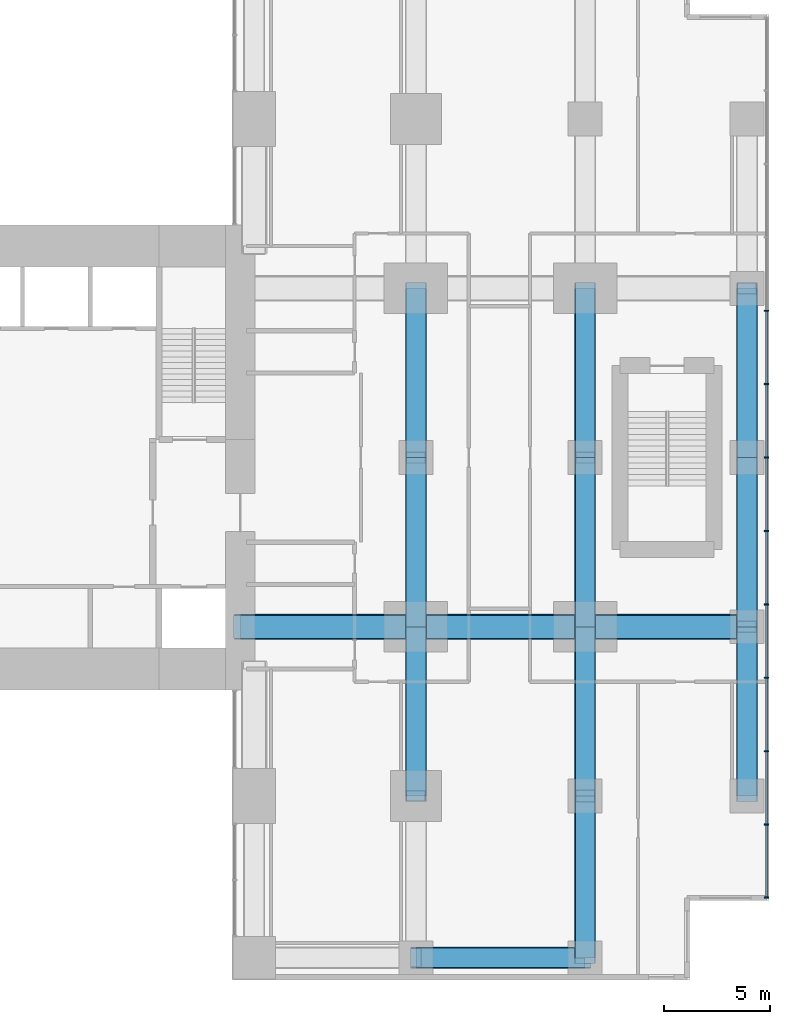
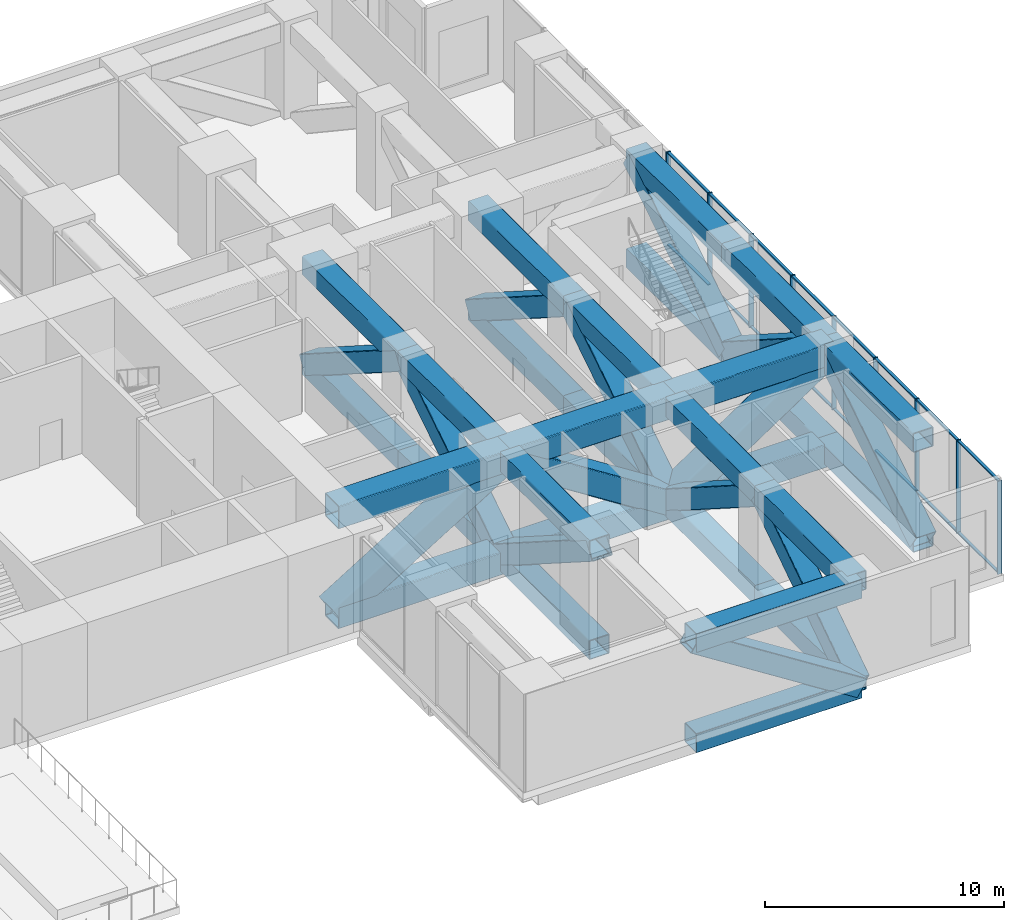
# One storey, part 3 of 10: 67 members, 1 element without a shape of its own.
"""IFC4 building model written with IfcOpenShell, lengths in metres."""

from ifc_helpers import new_model, si_unit, direction, frame, origin, origin_2d, place, context, subcontext, project, spatial, rectangle, hollow_rectangle, extrude, material, layer, layer_set, material_profile, profile_set, type_object, element, aggregate, save


model = new_model("IFC4")

# Units and contexts
model_context = context("Model", 3, precision=1e-05, world=origin(), true_north=direction((0.0, 1.0)))
body_context = subcontext(model_context, "Body", "Model", "MODEL_VIEW")
ifc_project = project(units=[si_unit("LENGTHUNIT", "METRE"), si_unit("AREAUNIT", "SQUARE_METRE"), si_unit("VOLUMEUNIT", "CUBIC_METRE"), si_unit("PLANEANGLEUNIT", "RADIAN"), si_unit("MASSUNIT", "GRAM", prefix="KILO")], contexts=[model_context])

# Site, building, storey
site_placement = place(None, origin())
site = spatial("IfcSite", under=ifc_project, at=site_placement, CompositionType="ELEMENT")
building_placement = place(site_placement, origin())
building = spatial("IfcBuilding", under=site, at=building_placement, Name="Cleftline Residences", CompositionType="ELEMENT")
storey_placement = place(building_placement, frame((0.0, 0.0, 225.39990234375)))
storey = spatial("IfcBuildingStorey", under=building, at=storey_placement, Name="L59", CompositionType="ELEMENT", Elevation=225.39990234375)

# Members
ifc_material_1 = material(Name="Steel S355", Category="steel")
ifc_material_profile_1 = material_profile(ifc_material_1, hollow_rectangle(XDim=1.0, YDim=1.0, WallThickness=0.0400390625, InnerFilletRadius=0.0400390625, OuterFilletRadius=0.06005859375, at=origin_2d()))
ifc_profile_set_1 = profile_set([ifc_material_profile_1], Name="Steel S355")
member_type_1 = type_object("IfcMemberType", Name="BRACE BOX 1000X1000X40", PredefinedType="BRACE", material=ifc_profile_set_1)
for number, where, z_axis, x_axis, name in (
    (1, (50.0, 8.0, 4.25), (0.0, 0.843234196711, -0.537546360324), (0.0, 0.537546360324, 0.843234196711), "Belt truss diagonal"),
    (2, (50.0, 16.0, -0.849853515625), (0.0, 0.843234196711, 0.537546360324), (0.0, -0.537546360324, 0.843234196711), "Belt truss diagonal"),
    (3, (50.0, 24.0, 4.25), (0.0, 0.843234196711, -0.537546360324), (0.0, 0.537546360324, 0.843234196711), "Belt truss diagonal"),
):
    element("IfcMember", number, at=place(storey_placement, frame(where, z_axis=z_axis, x_axis=x_axis)), inside=storey, type_object=member_type_1, Name=name, PredefinedType="BRACE", context=body_context, shape_type="SweptSolid", body=[
        extrude(hollow_rectangle(XDim=1.0, YDim=1.0, WallThickness=0.0400390625, InnerFilletRadius=0.0400390625, OuterFilletRadius=0.06005859375, at=origin_2d()), origin(), (0.0, 0.0, 1.0), 9.4873046875),
    ])
member_1_placement = place(storey_placement, frame((58.0, 0.35009765625, -0.849853515625), z_axis=(0.0, 0.832054379602, 0.55469406828), x_axis=(0.0, -0.55469406828, 0.832054379602)))
element("IfcMember", 4, at=member_1_placement, inside=storey, type_object=member_type_1, Name="Belt truss diagonal", PredefinedType="BRACE", context=body_context, shape_type="SweptSolid", body=[
    extrude(hollow_rectangle(XDim=1.0, YDim=1.0, WallThickness=0.0400390625, InnerFilletRadius=0.0400390625, OuterFilletRadius=0.06005859375, at=origin_2d()), origin(), (0.0, 0.0, 1.0), 9.194091796875),
])
for number, where, z_axis, x_axis, name in (
    (5, (58.0, 8.0, 4.25), (0.0, 0.843234196711, -0.537546360324), (0.0, 0.537546360324, 0.843234196711), "Belt truss diagonal"),
    (6, (58.0, 16.0, -0.849853515625), (0.0, 0.843234196711, 0.537546360324), (0.0, -0.537546360324, 0.843234196711), "Belt truss diagonal"),
    (7, (58.0, 24.0, 4.25), (0.0, 0.843234196711, -0.537546360324), (0.0, 0.537546360324, 0.843234196711), "Belt truss diagonal"),
    (8, (65.64990234375, 8.0, -0.849853515625), (0.0, 0.843234196711, 0.537546360324), (0.0, -0.537546360324, 0.843234196711), "Belt truss diagonal"),
    (9, (65.64990234375, 16.0, 4.25), (0.0, 0.843234196711, -0.537546360324), (0.0, 0.537546360324, 0.843234196711), "Belt truss diagonal"),
    (10, (65.64990234375, 24.0, -0.849853515625), (0.0, 0.843234196711, 0.537546360324), (0.0, -0.537546360324, 0.843234196711), "Belt truss diagonal"),
    (11, (50.0, 0.35009765625, 4.25), (0.843234196711, 0.0, -0.537546360324), (0.537546360324, 0.0, 0.843234196711), "Belt truss diagonal"),
):
    element("IfcMember", number, at=place(storey_placement, frame(where, z_axis=z_axis, x_axis=x_axis)), inside=storey, type_object=member_type_1, Name=name, PredefinedType="BRACE", context=body_context, shape_type="SweptSolid", body=[
        extrude(hollow_rectangle(XDim=1.0, YDim=1.0, WallThickness=0.0400390625, InnerFilletRadius=0.0400390625, OuterFilletRadius=0.06005859375, at=origin_2d()), origin(), (0.0, 0.0, 1.0), 9.4873046875),
    ])
ifc_material_2 = material(Name="Steel S355", Category="steel")
ifc_material_profile_2 = material_profile(ifc_material_2, hollow_rectangle(XDim=1.199951171875, YDim=1.199951171875, WallThickness=0.06005859375, InnerFilletRadius=0.06005859375, OuterFilletRadius=0.090087890625, at=origin_2d()))
ifc_profile_set_2 = profile_set([ifc_material_profile_2], Name="Steel S355")
member_type_2 = type_object("IfcMemberType", Name="BRACE BOX 1200X1200X60", PredefinedType="BRACE", material=ifc_profile_set_2)
member_2_placement = place(storey_placement, frame((41.699951171875, 16.0, -0.949951171875), z_axis=(0.852007479238, 0.0, 0.523529612651), x_axis=(-0.523529612651, 0.0, 0.852007479238)))
element("IfcMember", 12, at=member_2_placement, inside=storey, type_object=member_type_2, Name="Outrigger truss diagonal", PredefinedType="BRACE", context=body_context, shape_type="SweptSolid", body=[
    extrude(hollow_rectangle(XDim=1.199951171875, YDim=1.199951171875, WallThickness=0.06005859375, InnerFilletRadius=0.06005859375, OuterFilletRadius=0.090087890625, at=origin_2d()), origin(), (0.0, 0.0, 1.0), 9.74169921875),
])
member_3_placement = place(storey_placement, frame((50.0, 16.0, 4.150146484375), z_axis=(0.843222532273, 0.0, -0.537564657568), x_axis=(0.537564657568, 0.0, 0.843222532273)))
element("IfcMember", 13, at=member_3_placement, inside=storey, type_object=member_type_2, Name="Outrigger truss diagonal", PredefinedType="BRACE", context=body_context, shape_type="SweptSolid", body=[
    extrude(hollow_rectangle(XDim=1.199951171875, YDim=1.199951171875, WallThickness=0.06005859375, InnerFilletRadius=0.06005859375, OuterFilletRadius=0.090087890625, at=origin_2d()), origin(), (0.0, 0.0, 1.0), 9.4873046875),
])
member_4_placement = place(storey_placement, frame((58.0, 16.0, -0.949951171875), z_axis=(0.832042123795, 0.0, 0.554712451844), x_axis=(-0.554712451844, 0.0, 0.832042123795)))
element("IfcMember", 14, at=member_4_placement, inside=storey, type_object=member_type_2, Name="Outrigger truss diagonal", PredefinedType="BRACE", context=body_context, shape_type="SweptSolid", body=[
    extrude(hollow_rectangle(XDim=1.199951171875, YDim=1.199951171875, WallThickness=0.06005859375, InnerFilletRadius=0.06005859375, OuterFilletRadius=0.090087890625, at=origin_2d()), origin(), (0.0, 0.0, 1.0), 9.194091796875),
])
ifc_material_3 = material(Name="Steel S355", Category="steel")
ifc_material_profile_3 = material_profile(ifc_material_3, hollow_rectangle(XDim=1.0, YDim=1.0, WallThickness=0.0400390625, InnerFilletRadius=0.0400390625, OuterFilletRadius=0.06005859375, at=origin_2d()))
ifc_profile_set_3 = profile_set([ifc_material_profile_3], Name="Steel S355")
member_type_3 = type_object("IfcMemberType", Name="CHORD BOX 1000X1000X40", PredefinedType="CHORD", material=ifc_profile_set_3)
for number, where, z_axis, x_axis, name in (
    (15, (50.0, 8.0, -0.849853515625), (0.0, 1.0, 0.0), (-1.0, 0.0, 0.0), "Belt truss bottom chord"),
    (16, (50.0, 8.0, 4.25), (0.0, 1.0, 0.0), (-1.0, 0.0, 0.0), "Belt truss top chord"),
    (17, (50.0, 16.0, -0.849853515625), (0.0, 1.0, 0.0), (-1.0, 0.0, 0.0), "Belt truss bottom chord"),
    (18, (50.0, 16.0, 4.25), (0.0, 1.0, 0.0), (-1.0, 0.0, 0.0), "Belt truss top chord"),
    (19, (50.0, 24.0, -0.849853515625), (0.0, 1.0, 0.0), (-1.0, 0.0, 0.0), "Belt truss bottom chord"),
    (20, (50.0, 24.0, 4.25), (0.0, 1.0, 0.0), (-1.0, 0.0, 0.0), "Belt truss top chord"),
):
    element("IfcMember", number, at=place(storey_placement, frame(where, z_axis=z_axis, x_axis=x_axis)), inside=storey, type_object=member_type_3, Name=name, PredefinedType="CHORD", context=body_context, shape_type="SweptSolid", body=[
        extrude(hollow_rectangle(XDim=1.0, YDim=1.0, WallThickness=0.0400390625, InnerFilletRadius=0.0400390625, OuterFilletRadius=0.06005859375, at=origin_2d()), origin(), (0.0, 0.0, 1.0), 8.0),
    ])
for number, where, z_axis, x_axis, name in (
    (21, (58.0, 0.35009765625, -0.849853515625), (0.0, 1.0, 0.0), (-1.0, 0.0, 0.0), "Belt truss bottom chord"),
    (22, (58.0, 0.35009765625, 4.25), (0.0, 1.0, 0.0), (-1.0, 0.0, 0.0), "Belt truss top chord"),
):
    element("IfcMember", number, at=place(storey_placement, frame(where, z_axis=z_axis, x_axis=x_axis)), inside=storey, type_object=member_type_3, Name=name, PredefinedType="CHORD", context=body_context, shape_type="SweptSolid", body=[
        extrude(hollow_rectangle(XDim=1.0, YDim=1.0, WallThickness=0.0400390625, InnerFilletRadius=0.0400390625, OuterFilletRadius=0.06005859375, at=origin_2d()), origin(), (0.0, 0.0, 1.0), 7.64990234375),
    ])
for number, where, z_axis, x_axis, name in (
    (23, (58.0, 8.0, -0.849853515625), (0.0, 1.0, 0.0), (-1.0, 0.0, 0.0), "Belt truss bottom chord"),
    (24, (58.0, 8.0, 4.25), (0.0, 1.0, 0.0), (-1.0, 0.0, 0.0), "Belt truss top chord"),
    (25, (58.0, 16.0, -0.849853515625), (0.0, 1.0, 0.0), (-1.0, 0.0, 0.0), "Belt truss bottom chord"),
    (26, (58.0, 16.0, 4.25), (0.0, 1.0, 0.0), (-1.0, 0.0, 0.0), "Belt truss top chord"),
    (27, (58.0, 24.0, -0.849853515625), (0.0, 1.0, 0.0), (-1.0, 0.0, 0.0), "Belt truss bottom chord"),
    (28, (58.0, 24.0, 4.25), (0.0, 1.0, 0.0), (-1.0, 0.0, 0.0), "Belt truss top chord"),
    (29, (65.64990234375, 8.0, -0.849853515625), (0.0, 1.0, 0.0), (-1.0, 0.0, 0.0), "Belt truss bottom chord"),
    (30, (65.64990234375, 8.0, 4.25), (0.0, 1.0, 0.0), (-1.0, 0.0, 0.0), "Belt truss top chord"),
    (31, (65.64990234375, 16.0, -0.849853515625), (0.0, 1.0, 0.0), (-1.0, 0.0, 0.0), "Belt truss bottom chord"),
    (32, (65.64990234375, 16.0, 4.25), (0.0, 1.0, 0.0), (-1.0, 0.0, 0.0), "Belt truss top chord"),
    (33, (65.64990234375, 24.0, -0.849853515625), (0.0, 1.0, 0.0), (-1.0, 0.0, 0.0), "Belt truss bottom chord"),
    (34, (65.64990234375, 24.0, 4.25), (0.0, 1.0, 0.0), (-1.0, 0.0, 0.0), "Belt truss top chord"),
    (35, (50.0, 0.35009765625, -0.849853515625), (1.0, 0.0, 0.0), (0.0, 1.0, 0.0), "Belt truss bottom chord"),
    (36, (50.0, 0.35009765625, 4.25), (1.0, 0.0, 0.0), (0.0, 1.0, 0.0), "Belt truss top chord"),
):
    element("IfcMember", number, at=place(storey_placement, frame(where, z_axis=z_axis, x_axis=x_axis)), inside=storey, type_object=member_type_3, Name=name, PredefinedType="CHORD", context=body_context, shape_type="SweptSolid", body=[
        extrude(hollow_rectangle(XDim=1.0, YDim=1.0, WallThickness=0.0400390625, InnerFilletRadius=0.0400390625, OuterFilletRadius=0.06005859375, at=origin_2d()), origin(), (0.0, 0.0, 1.0), 8.0),
    ])
ifc_material_4 = material(Name="Steel S355", Category="steel")
ifc_material_profile_4 = material_profile(ifc_material_4, hollow_rectangle(XDim=1.199951171875, YDim=1.199951171875, WallThickness=0.06005859375, InnerFilletRadius=0.06005859375, OuterFilletRadius=0.090087890625, at=origin_2d()))
ifc_profile_set_4 = profile_set([ifc_material_profile_4], Name="Steel S355")
member_type_4 = type_object("IfcMemberType", Name="CHORD BOX 1200X1200X60", PredefinedType="CHORD", material=ifc_profile_set_4)
for number, where, z_axis, x_axis, name in (
    (37, (41.699951171875, 16.0, -0.949951171875), (1.0, 0.0, 0.0), (0.0, 1.0, 0.0), "Outrigger truss bottom chord"),
    (38, (41.699951171875, 16.0, 4.150146484375), (1.0, 0.0, 0.0), (0.0, 1.0, 0.0), "Outrigger truss top chord"),
):
    element("IfcMember", number, at=place(storey_placement, frame(where, z_axis=z_axis, x_axis=x_axis)), inside=storey, type_object=member_type_4, Name=name, PredefinedType="CHORD", context=body_context, shape_type="SweptSolid", body=[
        extrude(hollow_rectangle(XDim=1.199951171875, YDim=1.199951171875, WallThickness=0.06005859375, InnerFilletRadius=0.06005859375, OuterFilletRadius=0.090087890625, at=origin_2d()), origin(), (0.0, 0.0, 1.0), 8.300048828125),
    ])
for number, where, z_axis, x_axis, name in (
    (39, (50.0, 16.0, -0.949951171875), (1.0, 0.0, 0.0), (0.0, 1.0, 0.0), "Outrigger truss bottom chord"),
    (40, (50.0, 16.0, 4.150146484375), (1.0, 0.0, 0.0), (0.0, 1.0, 0.0), "Outrigger truss top chord"),
):
    element("IfcMember", number, at=place(storey_placement, frame(where, z_axis=z_axis, x_axis=x_axis)), inside=storey, type_object=member_type_4, Name=name, PredefinedType="CHORD", context=body_context, shape_type="SweptSolid", body=[
        extrude(hollow_rectangle(XDim=1.199951171875, YDim=1.199951171875, WallThickness=0.06005859375, InnerFilletRadius=0.06005859375, OuterFilletRadius=0.090087890625, at=origin_2d()), origin(), (0.0, 0.0, 1.0), 8.0),
    ])
for number, where, z_axis, x_axis, name in (
    (41, (58.0, 16.0, -0.949951171875), (1.0, 0.0, 0.0), (0.0, 1.0, 0.0), "Outrigger truss bottom chord"),
    (42, (58.0, 16.0, 4.150146484375), (1.0, 0.0, 0.0), (0.0, 1.0, 0.0), "Outrigger truss top chord"),
):
    element("IfcMember", number, at=place(storey_placement, frame(where, z_axis=z_axis, x_axis=x_axis)), inside=storey, type_object=member_type_4, Name=name, PredefinedType="CHORD", context=body_context, shape_type="SweptSolid", body=[
        extrude(hollow_rectangle(XDim=1.199951171875, YDim=1.199951171875, WallThickness=0.06005859375, InnerFilletRadius=0.06005859375, OuterFilletRadius=0.090087890625, at=origin_2d()), origin(), (0.0, 0.0, 1.0), 7.64990234375),
    ])

# Curtain wall, members
ifc_material_5 = material(Name="Aluminium framed curtain wall", Category="aluminium")
ifc_layer = layer(ifc_material_5, 0.199951171875)
ifc_layer_set = layer_set([ifc_layer], Name="CW4 SKY LOUNGE GLAZING")
curtain_wall_type = type_object("IfcCurtainWallType", Name="CW4 SKY LOUNGE GLAZING", PredefinedType="NOTDEFINED", material=ifc_layer_set)
curtain_wall_placement = place(storey_placement, origin())
curtain_wall = element("IfcCurtainWall", 43, at=curtain_wall_placement, inside=storey, type_object=curtain_wall_type, Name="Curtain wall CW4", PredefinedType="NOTDEFINED")
ifc_material_6 = material(Name="Aluminium mullion", Category="aluminium")
ifc_material_profile_5 = material_profile(ifc_material_6, rectangle(XDim=0.219970703125, YDim=0.06494140625, at=origin_2d()))
ifc_profile_set_5 = profile_set([ifc_material_profile_5], Name="Aluminium mullion")
member_type_5 = type_object("IfcMemberType", Name="CW4 MULLION", PredefinedType="MULLION", material=ifc_profile_set_5)
member_5_placement = place(storey_placement, frame((66.574951171875, 3.20751953125, 0.0), z_axis=(0.0, 0.0, 1.0), x_axis=(-1.0, 0.0, 0.0)))
member_5 = element("IfcMember", 44, at=member_5_placement, type_object=member_type_5, Name="CW4 mullion 1", PredefinedType="MULLION", context=body_context, shape_type="SweptSolid", body=[
    extrude(rectangle(XDim=0.219970703125, YDim=0.06494140625, at=origin_2d()), origin(), (0.0, 0.0, 1.0), 4.75),
])
member_6_placement = place(storey_placement, frame((66.574951171875, 6.645751953125, 0.0), z_axis=(0.0, 0.0, 1.0), x_axis=(-1.0, 0.0, 0.0)))
member_6 = element("IfcMember", 45, at=member_6_placement, type_object=member_type_5, Name="CW4 mullion 2", PredefinedType="MULLION", context=body_context, shape_type="SweptSolid", body=[
    extrude(rectangle(XDim=0.219970703125, YDim=0.06494140625, at=origin_2d()), origin(), (0.0, 0.0, 1.0), 4.75),
])
member_7_placement = place(storey_placement, frame((66.574951171875, 10.11669921875, 0.0), z_axis=(0.0, 0.0, 1.0), x_axis=(-1.0, 0.0, 0.0)))
member_7 = element("IfcMember", 46, at=member_7_placement, type_object=member_type_5, Name="CW4 mullion 3", PredefinedType="MULLION", context=body_context, shape_type="SweptSolid", body=[
    extrude(rectangle(XDim=0.219970703125, YDim=0.06494140625, at=origin_2d()), origin(), (0.0, 0.0, 1.0), 4.75),
])
member_8_placement = place(storey_placement, frame((66.574951171875, 13.58740234375, 0.0), z_axis=(0.0, 0.0, 1.0), x_axis=(-1.0, 0.0, 0.0)))
member_8 = element("IfcMember", 47, at=member_8_placement, type_object=member_type_5, Name="CW4 mullion 4", PredefinedType="MULLION", context=body_context, shape_type="SweptSolid", body=[
    extrude(rectangle(XDim=0.219970703125, YDim=0.06494140625, at=origin_2d()), origin(), (0.0, 0.0, 1.0), 4.75),
])
member_9_placement = place(storey_placement, frame((66.574951171875, 17.058349609375, 0.0), z_axis=(0.0, 0.0, 1.0), x_axis=(-1.0, 0.0, 0.0)))
member_9 = element("IfcMember", 48, at=member_9_placement, type_object=member_type_5, Name="CW4 mullion 5", PredefinedType="MULLION", context=body_context, shape_type="SweptSolid", body=[
    extrude(rectangle(XDim=0.219970703125, YDim=0.06494140625, at=origin_2d()), origin(), (0.0, 0.0, 1.0), 4.75),
])
member_10_placement = place(storey_placement, frame((66.574951171875, 20.529052734375, 0.0), z_axis=(0.0, 0.0, 1.0), x_axis=(-1.0, 0.0, 0.0)))
member_10 = element("IfcMember", 49, at=member_10_placement, type_object=member_type_5, Name="CW4 mullion 6", PredefinedType="MULLION", context=body_context, shape_type="SweptSolid", body=[
    extrude(rectangle(XDim=0.219970703125, YDim=0.06494140625, at=origin_2d()), origin(), (0.0, 0.0, 1.0), 4.75),
])
member_11_placement = place(storey_placement, frame((66.574951171875, 24.0, 0.0), z_axis=(0.0, 0.0, 1.0), x_axis=(-1.0, 0.0, 0.0)))
member_11 = element("IfcMember", 50, at=member_11_placement, type_object=member_type_5, Name="CW4 mullion 7", PredefinedType="MULLION", context=body_context, shape_type="SweptSolid", body=[
    extrude(rectangle(XDim=0.219970703125, YDim=0.06494140625, at=origin_2d()), origin(), (0.0, 0.0, 1.0), 4.75),
])
member_12_placement = place(storey_placement, frame((66.574951171875, 27.470947265625, 0.0), z_axis=(0.0, 0.0, 1.0), x_axis=(-1.0, 0.0, 0.0)))
member_12 = element("IfcMember", 51, at=member_12_placement, type_object=member_type_5, Name="CW4 mullion 8", PredefinedType="MULLION", context=body_context, shape_type="SweptSolid", body=[
    extrude(rectangle(XDim=0.219970703125, YDim=0.06494140625, at=origin_2d()), origin(), (0.0, 0.0, 1.0), 4.75),
])
member_13_placement = place(storey_placement, frame((66.574951171875, 30.941650390625, 0.0), z_axis=(0.0, 0.0, 1.0), x_axis=(-1.0, 0.0, 0.0)))
member_13 = element("IfcMember", 52, at=member_13_placement, type_object=member_type_5, Name="CW4 mullion 9", PredefinedType="MULLION", context=body_context, shape_type="SweptSolid", body=[
    extrude(rectangle(XDim=0.219970703125, YDim=0.06494140625, at=origin_2d()), origin(), (0.0, 0.0, 1.0), 4.75),
])
ifc_material_7 = material(Name="Aluminium transom", Category="aluminium")
ifc_material_profile_6 = material_profile(ifc_material_7, rectangle(XDim=0.132080078125, YDim=0.06494140625, at=origin_2d()))
ifc_profile_set_6 = profile_set([ifc_material_profile_6], Name="Aluminium transom")
member_type_6 = type_object("IfcMemberType", Name="CW4 TRANSOM", PredefinedType="USERDEFINED", material=ifc_profile_set_6)
member_14_placement = place(storey_placement, frame((66.574951171875, 3.239990234375, 0.03271484375), z_axis=(0.0, 1.0, 0.0), x_axis=(-1.0, 0.0, 0.0)))
member_14 = element("IfcMember", 53, at=member_14_placement, type_object=member_type_6, Name="CW4 transom 1.1", ObjectType="TRANSOM", PredefinedType="USERDEFINED", context=body_context, shape_type="SweptSolid", body=[
    extrude(rectangle(XDim=0.132080078125, YDim=0.06494140625, at=origin_2d()), origin(), (0.0, 0.0, 1.0), 3.373291015625),
])
member_15_placement = place(storey_placement, frame((66.574951171875, 3.239990234375, 4.717529296875), z_axis=(0.0, 1.0, 0.0), x_axis=(-1.0, 0.0, 0.0)))
member_15 = element("IfcMember", 54, at=member_15_placement, type_object=member_type_6, Name="CW4 transom 1.2", ObjectType="TRANSOM", PredefinedType="USERDEFINED", context=body_context, shape_type="SweptSolid", body=[
    extrude(rectangle(XDim=0.132080078125, YDim=0.06494140625, at=origin_2d()), origin(), (0.0, 0.0, 1.0), 3.373291015625),
])
member_16_placement = place(storey_placement, frame((66.574951171875, 6.67822265625, 0.03271484375), z_axis=(0.0, 1.0, 0.0), x_axis=(-1.0, 0.0, 0.0)))
member_16 = element("IfcMember", 55, at=member_16_placement, type_object=member_type_6, Name="CW4 transom 2.1", ObjectType="TRANSOM", PredefinedType="USERDEFINED", context=body_context, shape_type="SweptSolid", body=[
    extrude(rectangle(XDim=0.132080078125, YDim=0.06494140625, at=origin_2d()), origin(), (0.0, 0.0, 1.0), 3.406005859375),
])
member_17_placement = place(storey_placement, frame((66.574951171875, 6.67822265625, 4.717529296875), z_axis=(0.0, 1.0, 0.0), x_axis=(-1.0, 0.0, 0.0)))
member_17 = element("IfcMember", 56, at=member_17_placement, type_object=member_type_6, Name="CW4 transom 2.2", ObjectType="TRANSOM", PredefinedType="USERDEFINED", context=body_context, shape_type="SweptSolid", body=[
    extrude(rectangle(XDim=0.132080078125, YDim=0.06494140625, at=origin_2d()), origin(), (0.0, 0.0, 1.0), 3.406005859375),
])
member_18_placement = place(storey_placement, frame((66.574951171875, 10.149169921875, 0.03271484375), z_axis=(0.0, 1.0, 0.0), x_axis=(-1.0, 0.0, 0.0)))
member_18 = element("IfcMember", 57, at=member_18_placement, type_object=member_type_6, Name="CW4 transom 3.1", ObjectType="TRANSOM", PredefinedType="USERDEFINED", context=body_context, shape_type="SweptSolid", body=[
    extrude(rectangle(XDim=0.132080078125, YDim=0.06494140625, at=origin_2d()), origin(), (0.0, 0.0, 1.0), 3.40576171875),
])
member_19_placement = place(storey_placement, frame((66.574951171875, 10.149169921875, 4.717529296875), z_axis=(0.0, 1.0, 0.0), x_axis=(-1.0, 0.0, 0.0)))
member_19 = element("IfcMember", 58, at=member_19_placement, type_object=member_type_6, Name="CW4 transom 3.2", ObjectType="TRANSOM", PredefinedType="USERDEFINED", context=body_context, shape_type="SweptSolid", body=[
    extrude(rectangle(XDim=0.132080078125, YDim=0.06494140625, at=origin_2d()), origin(), (0.0, 0.0, 1.0), 3.40576171875),
])
member_20_placement = place(storey_placement, frame((66.574951171875, 13.6201171875, 0.03271484375), z_axis=(0.0, 1.0, 0.0), x_axis=(-1.0, 0.0, 0.0)))
member_20 = element("IfcMember", 59, at=member_20_placement, type_object=member_type_6, Name="CW4 transom 4.1", ObjectType="TRANSOM", PredefinedType="USERDEFINED", context=body_context, shape_type="SweptSolid", body=[
    extrude(rectangle(XDim=0.132080078125, YDim=0.06494140625, at=origin_2d()), origin(), (0.0, 0.0, 1.0), 3.40576171875),
])
member_21_placement = place(storey_placement, frame((66.574951171875, 13.6201171875, 4.717529296875), z_axis=(0.0, 1.0, 0.0), x_axis=(-1.0, 0.0, 0.0)))
member_21 = element("IfcMember", 60, at=member_21_placement, type_object=member_type_6, Name="CW4 transom 4.2", ObjectType="TRANSOM", PredefinedType="USERDEFINED", context=body_context, shape_type="SweptSolid", body=[
    extrude(rectangle(XDim=0.132080078125, YDim=0.06494140625, at=origin_2d()), origin(), (0.0, 0.0, 1.0), 3.40576171875),
])
member_22_placement = place(storey_placement, frame((66.574951171875, 17.0908203125, 0.03271484375), z_axis=(0.0, 1.0, 0.0), x_axis=(-1.0, 0.0, 0.0)))
member_22 = element("IfcMember", 61, at=member_22_placement, type_object=member_type_6, Name="CW4 transom 5.1", ObjectType="TRANSOM", PredefinedType="USERDEFINED", context=body_context, shape_type="SweptSolid", body=[
    extrude(rectangle(XDim=0.132080078125, YDim=0.06494140625, at=origin_2d()), origin(), (0.0, 0.0, 1.0), 3.40576171875),
])
member_23_placement = place(storey_placement, frame((66.574951171875, 17.0908203125, 4.717529296875), z_axis=(0.0, 1.0, 0.0), x_axis=(-1.0, 0.0, 0.0)))
member_23 = element("IfcMember", 62, at=member_23_placement, type_object=member_type_6, Name="CW4 transom 5.2", ObjectType="TRANSOM", PredefinedType="USERDEFINED", context=body_context, shape_type="SweptSolid", body=[
    extrude(rectangle(XDim=0.132080078125, YDim=0.06494140625, at=origin_2d()), origin(), (0.0, 0.0, 1.0), 3.40576171875),
])
member_24_placement = place(storey_placement, frame((66.574951171875, 20.561767578125, 0.03271484375), z_axis=(0.0, 1.0, 0.0), x_axis=(-1.0, 0.0, 0.0)))
member_24 = element("IfcMember", 63, at=member_24_placement, type_object=member_type_6, Name="CW4 transom 6.1", ObjectType="TRANSOM", PredefinedType="USERDEFINED", context=body_context, shape_type="SweptSolid", body=[
    extrude(rectangle(XDim=0.132080078125, YDim=0.06494140625, at=origin_2d()), origin(), (0.0, 0.0, 1.0), 3.40576171875),
])
member_25_placement = place(storey_placement, frame((66.574951171875, 20.561767578125, 4.717529296875), z_axis=(0.0, 1.0, 0.0), x_axis=(-1.0, 0.0, 0.0)))
member_25 = element("IfcMember", 64, at=member_25_placement, type_object=member_type_6, Name="CW4 transom 6.2", ObjectType="TRANSOM", PredefinedType="USERDEFINED", context=body_context, shape_type="SweptSolid", body=[
    extrude(rectangle(XDim=0.132080078125, YDim=0.06494140625, at=origin_2d()), origin(), (0.0, 0.0, 1.0), 3.40576171875),
])
member_26_placement = place(storey_placement, frame((66.574951171875, 24.032470703125, 0.03271484375), z_axis=(0.0, 1.0, 0.0), x_axis=(-1.0, 0.0, 0.0)))
member_26 = element("IfcMember", 65, at=member_26_placement, type_object=member_type_6, Name="CW4 transom 7.1", ObjectType="TRANSOM", PredefinedType="USERDEFINED", context=body_context, shape_type="SweptSolid", body=[
    extrude(rectangle(XDim=0.132080078125, YDim=0.06494140625, at=origin_2d()), origin(), (0.0, 0.0, 1.0), 3.40576171875),
])
member_27_placement = place(storey_placement, frame((66.574951171875, 24.032470703125, 4.717529296875), z_axis=(0.0, 1.0, 0.0), x_axis=(-1.0, 0.0, 0.0)))
member_27 = element("IfcMember", 66, at=member_27_placement, type_object=member_type_6, Name="CW4 transom 7.2", ObjectType="TRANSOM", PredefinedType="USERDEFINED", context=body_context, shape_type="SweptSolid", body=[
    extrude(rectangle(XDim=0.132080078125, YDim=0.06494140625, at=origin_2d()), origin(), (0.0, 0.0, 1.0), 3.40576171875),
])
member_28_placement = place(storey_placement, frame((66.574951171875, 27.50341796875, 0.03271484375), z_axis=(0.0, 1.0, 0.0), x_axis=(-1.0, 0.0, 0.0)))
member_28 = element("IfcMember", 67, at=member_28_placement, type_object=member_type_6, Name="CW4 transom 8.1", ObjectType="TRANSOM", PredefinedType="USERDEFINED", context=body_context, shape_type="SweptSolid", body=[
    extrude(rectangle(XDim=0.132080078125, YDim=0.06494140625, at=origin_2d()), origin(), (0.0, 0.0, 1.0), 3.40576171875),
])
member_29_placement = place(storey_placement, frame((66.574951171875, 27.50341796875, 4.717529296875), z_axis=(0.0, 1.0, 0.0), x_axis=(-1.0, 0.0, 0.0)))
member_29 = element("IfcMember", 68, at=member_29_placement, type_object=member_type_6, Name="CW4 transom 8.2", ObjectType="TRANSOM", PredefinedType="USERDEFINED", context=body_context, shape_type="SweptSolid", body=[
    extrude(rectangle(XDim=0.132080078125, YDim=0.06494140625, at=origin_2d()), origin(), (0.0, 0.0, 1.0), 3.40576171875),
])
aggregate(curtain_wall, [member_5, member_6, member_7, member_8, member_9, member_10, member_11, member_12, member_13, member_14, member_15, member_16, member_17, member_18, member_19, member_20, member_21, member_22, member_23, member_24, member_25, member_26, member_27, member_28, member_29])

save(model, "model.ifc")
